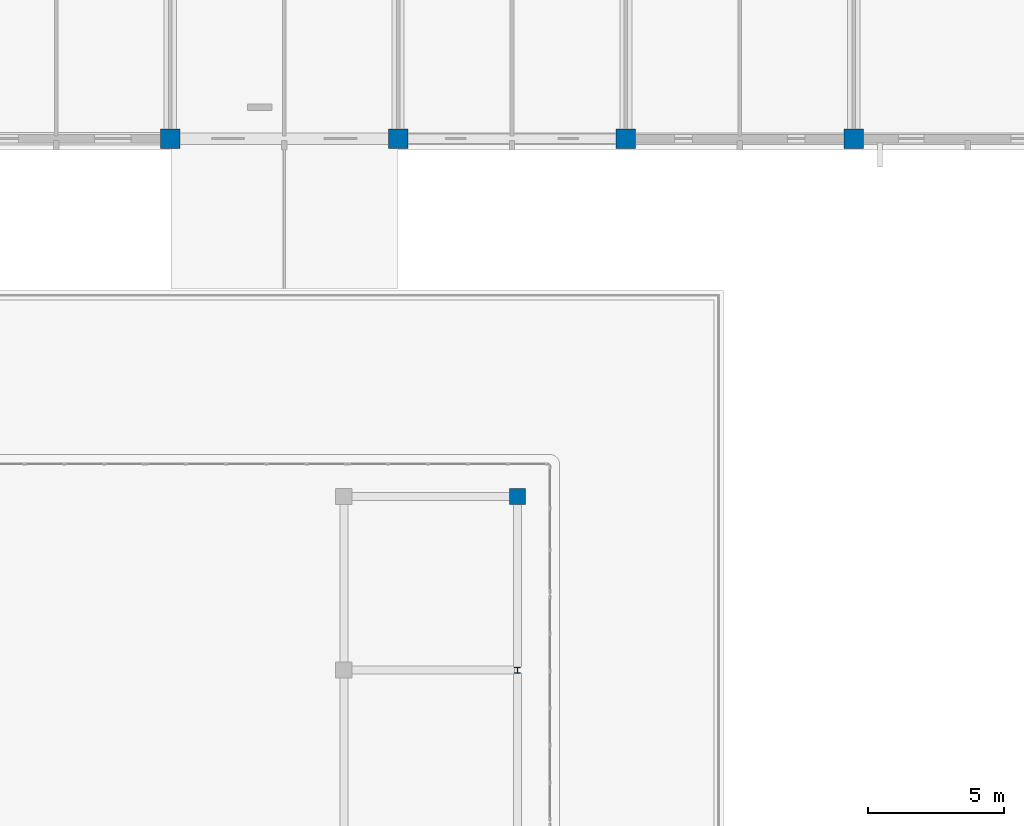
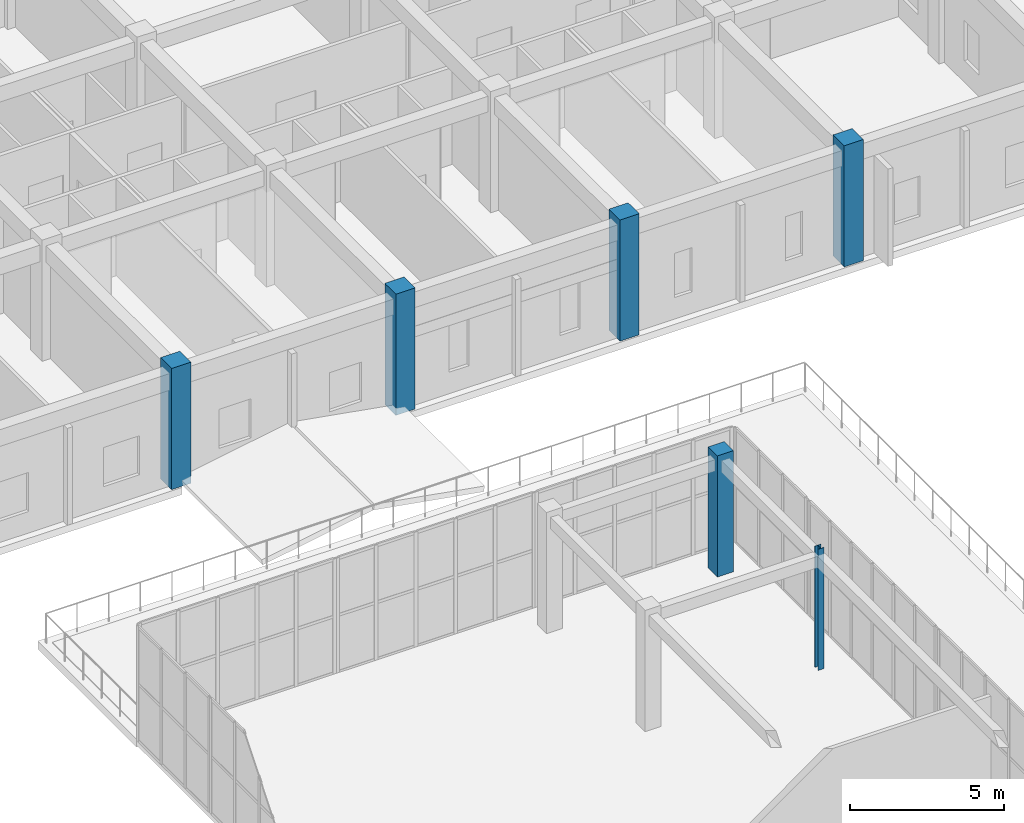
# One storey, part 10 of 158: 6 columns.
"""IFC4 building model written with IfcOpenShell, lengths in metres."""

from ifc_helpers import new_model, si_unit, direction, frame, origin, origin_2d, place, context, subcontext, project, spatial, rectangle, i_section, extrude, material, material_profile, profile_set, type_object, element, save


model = new_model("IFC4")

# Units and contexts
model_context = context("Model", 3, precision=1e-05, world=origin(), true_north=direction((0.0, 1.0)))
body_context = subcontext(model_context, "Body", "Model", "MODEL_VIEW")
ifc_project = project(units=[si_unit("LENGTHUNIT", "METRE"), si_unit("AREAUNIT", "SQUARE_METRE"), si_unit("VOLUMEUNIT", "CUBIC_METRE"), si_unit("PLANEANGLEUNIT", "RADIAN"), si_unit("MASSUNIT", "GRAM", prefix="KILO")], contexts=[model_context])

# Site, building, storey
site_placement = place(None, origin())
site = spatial("IfcSite", under=ifc_project, at=site_placement, CompositionType="ELEMENT")
building_placement = place(site_placement, origin())
building = spatial("IfcBuilding", under=site, at=building_placement, Name="Trelvath General Hospital", CompositionType="ELEMENT")
storey_placement = place(building_placement, frame((0.0, 0.0, 8.10009765625)))
storey = spatial("IfcBuildingStorey", under=building, at=storey_placement, Name="L02", CompositionType="ELEMENT", Elevation=8.10009765625)

# Columns
ifc_material_1 = material(Name="Concrete C40/50", Category="concrete")
ifc_material_profile_1 = material_profile(ifc_material_1, rectangle(XDim=0.60009765625, YDim=0.60009765625, at=origin_2d()), Name="RC600x600")
ifc_profile_set_1 = profile_set([ifc_material_profile_1], Name="Concrete C40/50")
column_type_1 = type_object("IfcColumnType", Name="Column RC600", PredefinedType="COLUMN", material=ifc_profile_set_1)
column_1_placement = place(storey_placement, frame((113.60009765625, 79.199951171875, 0.0), z_axis=(0.0, 0.0, 1.0), x_axis=(1.0, 0.0, 0.0)))
element("IfcColumn", 1, at=column_1_placement, inside=storey, type_object=column_type_1, Name="Cube Interior Column CC-E10 L02", PredefinedType="COLUMN", context=body_context, shape_type="SweptSolid", body=[
    extrude(rectangle(XDim=0.60009765625, YDim=0.60009765625, at=origin_2d()), origin(), (0.0, 0.0, 1.0), 4.7998046875),
])
ifc_material_2 = material(Name="Concrete C40/50", Category="concrete")
ifc_material_profile_2 = material_profile(ifc_material_2, rectangle(XDim=0.719970703125, YDim=0.719970703125, at=origin_2d()), Name="RC720x720")
ifc_profile_set_2 = profile_set([ifc_material_profile_2], Name="Concrete C40/50")
column_type_2 = type_object("IfcColumnType", Name="Column RC720", PredefinedType="COLUMN", material=ifc_profile_set_2)
for number, where, z_axis, x_axis, name in (
    (2, (100.800048828125, 92.39990234375, 0.0), (0.0, 0.0, 1.0), (1.0, 0.0, 0.0), "Column C-13L L02"),
    (3, (109.199951171875, 92.39990234375, 0.0), (0.0, 0.0, 1.0), (1.0, 0.0, 0.0), "Column C-14L L02"),
    (4, (117.60009765625, 92.39990234375, 0.0), (0.0, 0.0, 1.0), (1.0, 0.0, 0.0), "Column C-15L L02"),
    (5, (126.0, 92.39990234375, 0.0), (0.0, 0.0, 1.0), (1.0, 0.0, 0.0), "Column C-16L L02"),
):
    element("IfcColumn", number, at=place(storey_placement, frame(where, z_axis=z_axis, x_axis=x_axis)), inside=storey, type_object=column_type_2, Name=name, PredefinedType="COLUMN", context=body_context, shape_type="SweptSolid", body=[
        extrude(rectangle(XDim=0.719970703125, YDim=0.719970703125, at=origin_2d()), origin(), (0.0, 0.0, 1.0), 4.7998046875),
    ])
ifc_material_3 = material(Name="Steel S355", Category="steel")
ifc_material_profile_3 = material_profile(ifc_material_3, i_section(OverallWidth=0.219970703125, OverallDepth=0.219970703125, WebThickness=0.009521484375, FlangeThickness=0.01611328125, at=origin_2d()), Name="HEB220")
ifc_profile_set_3 = profile_set([ifc_material_profile_3], Name="Steel S355")
column_type_3 = type_object("IfcColumnType", Name="CubePost HEB220", PredefinedType="COLUMN", material=ifc_profile_set_3)
column_2_placement = place(storey_placement, frame((113.60009765625, 72.800048828125, 0.0), z_axis=(0.0, 0.0, 1.0), x_axis=(1.0, 0.0, 0.0)))
element("IfcColumn", 6, at=column_2_placement, inside=storey, type_object=column_type_3, Name="Cube Interior Column CC-E09 L02", PredefinedType="COLUMN", context=body_context, shape_type="SweptSolid", body=[
    extrude(i_section(OverallWidth=0.219970703125, OverallDepth=0.219970703125, WebThickness=0.009521484375, FlangeThickness=0.01611328125, at=origin_2d()), origin(), (0.0, 0.0, 1.0), 4.7998046875),
])

save(model, "model.ifc")
